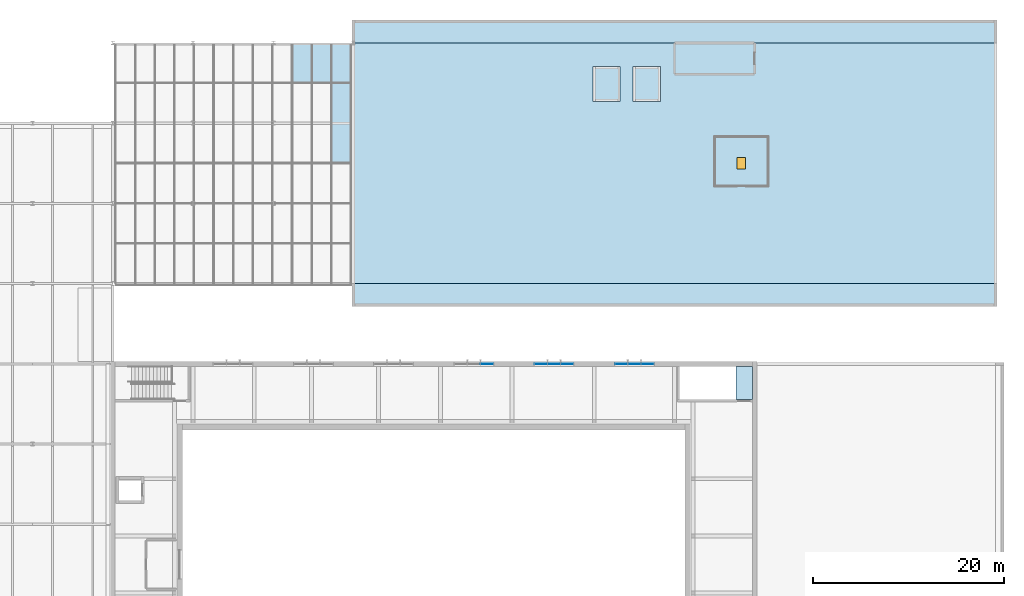
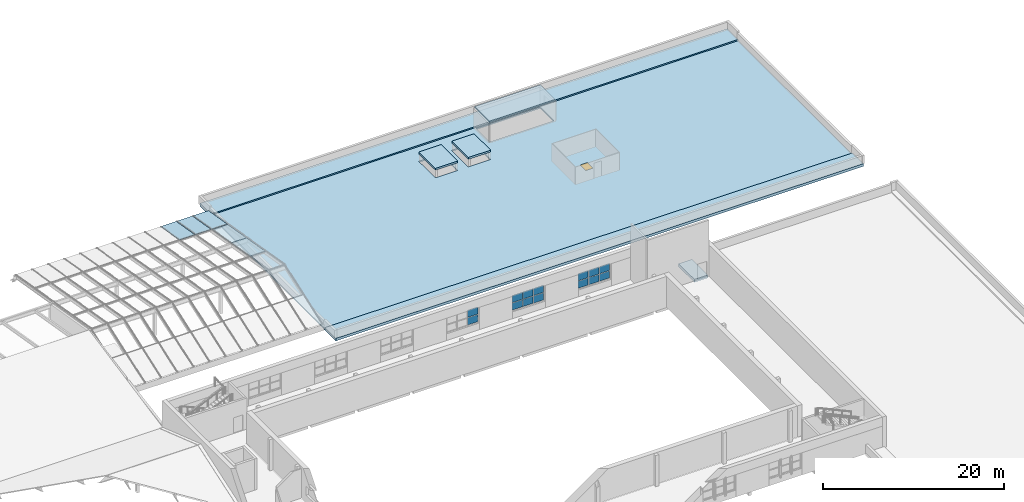
# One storey, part 34 of 60: 19 plates, 7 slabs, 1 window, 1 opening, 4 elements without a shape of their own.
"""IFC4 building model written with IfcOpenShell, lengths in metres."""

import ifcopenshell
import ifcopenshell.guid

model = None  # the IFC model being written
_history = None  # IfcOwnerHistory: only IFC2X3 demands one
_inside = {}  # id of a spatial element -> (the spatial element, [elements in it])
_under = {}  # id of a project, library or spatial element -> (it, [spatial elements below it])
_declared = {}  # id of a project -> (the project, [libraries it declares])
_typed = {}  # id of a type object -> (the type object, [elements of that type])
_made_of = {}  # id of a material, layer set ... -> (it, [elements and type objects made of it])


def new_model(schema):
    """Start an empty IFC model of exactly this schema.

    Asked for "IFC4X3", IfcOpenShell would pick the latest addendum, in which some entities
    have other attributes; the version numbers below select the first issue.
    IFC2X3 requires an IfcOwnerHistory on every rooted entity: one is made here for all.
    """
    global model, _history
    if schema == "IFC4X3":
        model = ifcopenshell.file(schema_version=(4, 3, 0, 0))
    else:
        model = ifcopenshell.file(schema=schema)
    _inside.clear()
    _under.clear()
    _declared.clear()
    _typed.clear()
    _made_of.clear()
    _history = None
    if model.schema == "IFC2X3":
        org = make("IfcOrganization", Name="unknown")
        user = make(
            "IfcPersonAndOrganization",
            ThePerson=make("IfcPerson", FamilyName="unknown"),
            TheOrganization=org,
        )
        app = make(
            "IfcApplication",
            ApplicationDeveloper=org,
            Version="unknown",
            ApplicationFullName="unknown",
            ApplicationIdentifier="unknown",
        )
        _history = make(
            "IfcOwnerHistory",
            OwningUser=user,
            OwningApplication=app,
            ChangeAction="ADDED",
            CreationDate=0,
        )
    return model


def make(cls, **values):
    """One entity of the class cls with the attributes given. An attribute that is None is left unset."""
    return model.create_entity(
        cls, **{name: value for name, value in values.items() if value is not None}
    )


def rooted(cls, **values):
    """An entity with a GlobalId (a new one), such as an element, a storey or a relation."""
    return make(cls, GlobalId=ifcopenshell.guid.new(), OwnerHistory=_history, **values)


def si_unit(unit_type, name, prefix=None):
    """IfcSIUnit, for example si_unit("LENGTHUNIT", "METRE", prefix="MILLI")."""
    return make("IfcSIUnit", UnitType=unit_type, Prefix=prefix, Name=name)


def assignment(units):
    """IfcUnitAssignment: the units of a project."""
    return None if units is None else make("IfcUnitAssignment", Units=units)


def point(xyz):
    """IfcCartesianPoint."""
    return None if xyz is None else make("IfcCartesianPoint", Coordinates=xyz)


def direction(xyz):
    """IfcDirection."""
    return None if xyz is None else make("IfcDirection", DirectionRatios=xyz)


def frame(location, z_axis=None, x_axis=None):
    """IfcAxis2Placement3D, a coordinate frame: its origin and axes. An axis left out is left unset."""
    return make(
        "IfcAxis2Placement3D",
        Location=point(location),
        Axis=direction(z_axis),
        RefDirection=direction(x_axis),
    )


def frame_2d(location, x_axis=None):
    """IfcAxis2Placement2D, a coordinate frame in the plane: its origin and x axis."""
    return make(
        "IfcAxis2Placement2D", Location=point(location), RefDirection=direction(x_axis)
    )


def origin():
    """The frame at (0, 0, 0) with its axes left unset."""
    return frame((0.0, 0.0, 0.0))


def origin_2d():
    """The frame at (0, 0) in the plane with its x axis left unset."""
    return frame_2d((0.0, 0.0))


def place(relative_to, where):
    """IfcLocalPlacement: puts the frame where relative to a parent placement (None: the world)."""
    return make(
        "IfcLocalPlacement", PlacementRelTo=relative_to, RelativePlacement=where
    )


def context(
    kind, dimensions, precision=None, world=None, true_north=None, identifier=None
):
    """IfcGeometricRepresentationContext, for example the 3D "Model" context."""
    return make(
        "IfcGeometricRepresentationContext",
        ContextIdentifier=identifier,
        ContextType=kind,
        CoordinateSpaceDimension=dimensions,
        Precision=precision,
        WorldCoordinateSystem=world,
        TrueNorth=true_north,
    )


def subcontext(parent, identifier, kind, view, scale=None):
    """IfcGeometricRepresentationSubContext, for example "Body" below "Model"."""
    return make(
        "IfcGeometricRepresentationSubContext",
        ContextIdentifier=identifier,
        ContextType=kind,
        ParentContext=parent,
        TargetScale=scale,
        TargetView=view,
    )


def project(units=None, contexts=None):
    """IfcProject with its units and contexts."""
    return rooted(
        "IfcProject",
        Name="project",
        RepresentationContexts=contexts,
        UnitsInContext=assignment(units),
    )


def spatial(cls, under=None, at=None, **own):
    """A site, building, storey or space (cls), placed at a placement, below another one or the project."""
    s = rooted(cls, ObjectPlacement=at, **own)
    if under is not None:
        _under.setdefault(under.id(), (under, []))[1].append(s)
    return s


def polyline(points):
    """IfcPolyline through the points."""
    return make("IfcPolyline", Points=[point(p) for p in points])


def profile(cls, at=None, kind="AREA", **sizes):
    """A parametric profile (cls). Its sizes go by their IFC names, for example OverallWidth=200.0."""
    return make(cls, ProfileType=kind, Position=at, **sizes)


def rectangle(**sizes):
    """IfcRectangleProfileDef."""
    return profile("IfcRectangleProfileDef", **sizes)


def outline(outer, holes=None, kind="AREA"):
    """IfcArbitraryClosedProfileDef: a profile drawn as a closed curve; with holes, ...WithVoids."""
    if holes is None:
        return make("IfcArbitraryClosedProfileDef", ProfileType=kind, OuterCurve=outer)
    return make(
        "IfcArbitraryProfileDefWithVoids",
        ProfileType=kind,
        OuterCurve=outer,
        InnerCurves=holes,
    )


def extrude(swept, where, along, depth):
    """IfcExtrudedAreaSolid: the profile swept, set in the frame where, extruded along a direction by depth."""
    return make(
        "IfcExtrudedAreaSolid",
        SweptArea=swept,
        Position=where,
        ExtrudedDirection=direction(along),
        Depth=depth,
    )


def shape(context_of_items, identifier, shape_type, items):
    """IfcShapeRepresentation: the items that make up one representation, for example the "Body"."""
    return make(
        "IfcShapeRepresentation",
        ContextOfItems=context_of_items,
        RepresentationIdentifier=identifier,
        RepresentationType=shape_type,
        Items=items,
    )


def material(Name=None, Category=None):
    """IfcMaterial."""
    return make("IfcMaterial", Name=Name, Category=Category)


def layer(
    of_material, thickness, ventilated=None, Name=None, Category=None, Priority=None
):
    """IfcMaterialLayer: one layer of a wall or slab, of a material (None: an air gap)."""
    return make(
        "IfcMaterialLayer",
        Material=of_material,
        LayerThickness=thickness,
        IsVentilated=ventilated,
        Name=Name,
        Category=Category,
        Priority=Priority,
    )


def layer_set(layers, Name=None):
    """IfcMaterialLayerSet."""
    return make("IfcMaterialLayerSet", MaterialLayers=layers, LayerSetName=Name)


def made_of(thing, what):
    """Note that an element or type object is made of a material, layer set ...; save() writes the relation."""
    if what is not None:
        _made_of.setdefault(what.id(), (what, []))[1].append(thing)
    return thing


def type_object(cls, material=None, **own):
    """A type object (cls), such as IfcWallType, which elements share."""
    return made_of(rooted(cls, **own), material)


def element(
    cls,
    number,
    at=None,
    inside=None,
    cuts=None,
    type_object=None,
    material=None,
    context=None,
    identifier="Body",
    shape_type=None,
    held_by="IfcProductDefinitionShape",
    body=None,
    shapes=None,
    **own,
):
    """One element of the class cls, such as IfcWall. Its Tag is "e" and its number.

    at: its placement. inside: the storey or other place that contains it. cuts: it is an
    opening in that element (IfcRelVoidsElement). A single representation is given by context,
    identifier, shape_type and body (its items); several are given by shapes. held_by: the class
    of the entity that holds the representations. save() writes the other relations.
    """
    e = rooted(cls, Tag="e%d" % number, ObjectPlacement=at, **own)
    if body is not None:
        shapes = [shape(context, identifier, shape_type, body)]
    if shapes is not None:
        e.Representation = make(held_by, Representations=shapes)
    if inside is not None:
        _inside.setdefault(inside.id(), (inside, []))[1].append(e)
    if cuts is not None:
        rooted(
            "IfcRelVoidsElement", RelatingBuildingElement=cuts, RelatedOpeningElement=e
        )
    if type_object is not None:
        _typed.setdefault(type_object.id(), (type_object, []))[1].append(e)
    return made_of(e, material)


def fill(opening, filler):
    """IfcRelFillsElement: the door or window that sits in an opening."""
    return rooted(
        "IfcRelFillsElement",
        RelatingOpeningElement=opening,
        RelatedBuildingElement=filler,
    )


def aggregate(whole, parts):
    """IfcRelAggregates: a whole, such as a stair, and the parts it consists of."""
    return rooted("IfcRelAggregates", RelatingObject=whole, RelatedObjects=parts)


def save(model, path):
    """Write the relations noted so far, then the file.

    IfcRelAggregates (storeys below a building ...), IfcRelContainedInSpatialStructure (elements
    in a storey), IfcRelDefinesByType, IfcRelAssociatesMaterial and IfcRelDeclares: one each for
    every whole, place, type object, material and project.
    """
    for whole, parts in _under.values():
        aggregate(whole, parts)
    for where, things in _inside.values():
        rooted(
            "IfcRelContainedInSpatialStructure",
            RelatedElements=things,
            RelatingStructure=where,
        )
    for kind, things in _typed.values():
        rooted("IfcRelDefinesByType", RelatedObjects=things, RelatingType=kind)
    for what, things in _made_of.values():
        rooted("IfcRelAssociatesMaterial", RelatedObjects=things, RelatingMaterial=what)
    for by, libraries in _declared.values():
        rooted("IfcRelDeclares", RelatingContext=by, RelatedDefinitions=libraries)
    model.write(path)


model = new_model("IFC4")

# Units and contexts
model_context = context("Model", 3, precision=1e-05, world=origin(), true_north=direction((0.0, 1.0)))
body_context = subcontext(model_context, "Body", "Model", "MODEL_VIEW")
ifc_project = project(units=[si_unit("LENGTHUNIT", "METRE"), si_unit("AREAUNIT", "SQUARE_METRE"), si_unit("VOLUMEUNIT", "CUBIC_METRE"), si_unit("PLANEANGLEUNIT", "RADIAN"), si_unit("MASSUNIT", "GRAM", prefix="KILO")], contexts=[model_context])

# Site, building, storey
site_placement = place(None, origin())
site = spatial("IfcSite", under=ifc_project, at=site_placement, CompositionType="ELEMENT")
building_placement = place(site_placement, origin())
building = spatial("IfcBuilding", under=site, at=building_placement, Name="Ljudholm Concert House", CompositionType="ELEMENT")
storey_placement = place(building_placement, frame((0.0, 0.0, 15.0)))
storey = spatial("IfcBuildingStorey", under=building, at=storey_placement, Name="L03", CompositionType="ELEMENT", Elevation=15.0)

# Slab, opening, window
ifc_material_1 = material(Name="Concrete 5,000 psi", Category="concrete")
ifc_layer_1 = layer(ifc_material_1, 0.179931640625)
ifc_layer_set_1 = layer_set([ifc_layer_1], Name="Concrete 5,000 psi")
slab_type_1 = type_object("IfcSlabType", Name="COMPOSITE ROOF SLAB 180", PredefinedType="ROOF", material=ifc_layer_set_1)
slab_1_placement = place(storey_placement, frame((0.0, 0.0, -0.179931640625)))
slab_1 = element("IfcSlab", 1, at=slab_1_placement, inside=storey, type_object=slab_type_1, Name="Green roof slab", PredefinedType="ROOF", context=body_context, shape_type="SweptSolid", body=[
    extrude(outline(polyline([(54.39990234375, 130.0), (121.60009765625, 130.0), (121.60009765625, 104.800048828125), (54.39990234375, 104.800048828125), (54.39990234375, 130.0)]), holes=[polyline([(79.47509765625, 123.875), (82.324951171875, 123.875), (82.324951171875, 127.52490234375), (79.47509765625, 127.52490234375), (79.47509765625, 123.875)]), polyline([(83.675048828125, 127.52490234375), (83.675048828125, 123.875), (86.52490234375, 123.875), (86.52490234375, 127.52490234375), (83.675048828125, 127.52490234375)]), polyline([(88.125, 129.85009765625), (88.125, 126.85009765625), (96.27490234375, 126.85009765625), (96.27490234375, 129.85009765625), (88.125, 129.85009765625)])]), origin(), (0.0, 0.0, 1.0), 0.179931640625),
])
opening_placement = place(slab_1_placement, frame((95.0, 117.39990234375, 0.0)))
opening = element("IfcOpeningElement", 2, at=opening_placement, cuts=slab_1, Name="Opening X-R02-012", PredefinedType="OPENING", context=body_context, shape_type="SweptSolid", body=[
    extrude(rectangle(XDim=0.89990234375, YDim=1.199951171875, at=origin_2d()), frame((0.0, 0.0, -0.010009765625)), (0.0, 0.0, 1.0), 0.199951171875),
])
ifc_material_2 = material(Name="Aluminium roof hatch, insulated, with fixed ladder", Category="aluminium")
window_type = type_object("IfcWindowType", Name="ROOF ACCESS HATCH 900x1200", PartitioningType="SINGLE_PANEL", PredefinedType="SKYLIGHT", material=ifc_material_2)
window_placement = place(opening_placement, frame((0.0, 0.0, 0.1298828125)))
window = element("IfcWindow", 3, at=window_placement, inside=storey, type_object=window_type, Name="Roof access hatch", OverallHeight=1.199951171875, OverallWidth=0.89990234375, PartitioningType="SINGLE_PANEL", PredefinedType="SKYLIGHT", context=body_context, shape_type="SweptSolid", body=[
    extrude(rectangle(XDim=0.89990234375, YDim=1.199951171875, at=origin_2d()), origin(), (0.0, 0.0, 1.0), 0.050048828125),
])
fill(opening, window)

# Curtain wall, plates
ifc_material_3 = material(Name="Aluminium curtain wall with impact-rated laminated glass", Category="aluminium")
curtain_wall_type_1 = type_object("IfcCurtainWallType", Name="CURTAIN WALL 1400", PredefinedType="NOTDEFINED", material=ifc_material_3)
curtain_wall_1_placement = place(storey_placement, origin())
curtain_wall_1 = element("IfcCurtainWall", 4, at=curtain_wall_1_placement, inside=storey, type_object=curtain_wall_type_1, Name="Promenade curtain wall", PredefinedType="NOTDEFINED")
ifc_material_4 = material(Name="Impact-rated laminated glass", Category="glass")
ifc_layer_2 = layer(ifc_material_4, 0.028076171875)
ifc_layer_set_2 = layer_set([ifc_layer_2], Name="Impact-rated laminated glass")
plate_type_1 = type_object("IfcPlateType", Name="CURTAIN PANEL 28", PredefinedType="CURTAIN_PANEL", material=ifc_layer_set_2)
plate_1_placement = place(storey_placement, frame((68.364990234375, 96.39990234375, 0.9599609375), z_axis=(0.0, 0.0, 1.0), x_axis=(1.0, 0.0, 0.0)))
plate_1 = element("IfcPlate", 5, at=plate_1_placement, type_object=plate_type_1, Name="Curtain wall panel", PredefinedType="CURTAIN_PANEL", context=body_context, shape_type="SweptSolid", body=[
    extrude(rectangle(XDim=1.2900390625, YDim=0.028076171875, at=origin_2d()), origin(), (0.0, 0.0, 1.0), 0.9599609375),
])
plate_2_placement = place(storey_placement, frame((68.364990234375, 96.39990234375, 1.97998046875), z_axis=(0.0, 0.0, 1.0), x_axis=(1.0, 0.0, 0.0)))
plate_2 = element("IfcPlate", 6, at=plate_2_placement, type_object=plate_type_1, Name="Curtain wall panel", PredefinedType="CURTAIN_PANEL", context=body_context, shape_type="SweptSolid", body=[
    extrude(rectangle(XDim=1.2900390625, YDim=0.028076171875, at=origin_2d()), origin(), (0.0, 0.0, 1.0), 0.9599609375),
])
aggregate(curtain_wall_1, [plate_1, plate_2])

curtain_wall_2_placement = place(storey_placement, origin())
curtain_wall_2 = element("IfcCurtainWall", 7, at=curtain_wall_2_placement, inside=storey, type_object=curtain_wall_type_1, Name="Promenade curtain wall", PredefinedType="NOTDEFINED")
plate_3_placement = place(storey_placement, frame((74.034912109375, 96.39990234375, 0.9599609375), z_axis=(0.0, 0.0, 1.0), x_axis=(1.0, 0.0, 0.0)))
plate_3 = element("IfcPlate", 8, at=plate_3_placement, type_object=plate_type_1, Name="Curtain wall panel", PredefinedType="CURTAIN_PANEL", context=body_context, shape_type="SweptSolid", body=[
    extrude(rectangle(XDim=1.2900390625, YDim=0.028076171875, at=origin_2d()), origin(), (0.0, 0.0, 1.0), 0.9599609375),
])
plate_4_placement = place(storey_placement, frame((74.034912109375, 96.39990234375, 1.97998046875), z_axis=(0.0, 0.0, 1.0), x_axis=(1.0, 0.0, 0.0)))
plate_4 = element("IfcPlate", 9, at=plate_4_placement, type_object=plate_type_1, Name="Curtain wall panel", PredefinedType="CURTAIN_PANEL", context=body_context, shape_type="SweptSolid", body=[
    extrude(rectangle(XDim=1.2900390625, YDim=0.028076171875, at=origin_2d()), origin(), (0.0, 0.0, 1.0), 0.9599609375),
])
plate_5_placement = place(storey_placement, frame((75.39990234375, 96.39990234375, 0.9599609375), z_axis=(0.0, 0.0, 1.0), x_axis=(1.0, 0.0, 0.0)))
plate_5 = element("IfcPlate", 10, at=plate_5_placement, type_object=plate_type_1, Name="Curtain wall panel", PredefinedType="CURTAIN_PANEL", context=body_context, shape_type="SweptSolid", body=[
    extrude(rectangle(XDim=1.320068359375, YDim=0.028076171875, at=origin_2d()), origin(), (0.0, 0.0, 1.0), 0.9599609375),
])
plate_6_placement = place(storey_placement, frame((75.39990234375, 96.39990234375, 1.97998046875), z_axis=(0.0, 0.0, 1.0), x_axis=(1.0, 0.0, 0.0)))
plate_6 = element("IfcPlate", 11, at=plate_6_placement, type_object=plate_type_1, Name="Curtain wall panel", PredefinedType="CURTAIN_PANEL", context=body_context, shape_type="SweptSolid", body=[
    extrude(rectangle(XDim=1.320068359375, YDim=0.028076171875, at=origin_2d()), origin(), (0.0, 0.0, 1.0), 0.9599609375),
])
plate_7_placement = place(storey_placement, frame((76.764892578125, 96.39990234375, 0.9599609375), z_axis=(0.0, 0.0, 1.0), x_axis=(1.0, 0.0, 0.0)))
plate_7 = element("IfcPlate", 12, at=plate_7_placement, type_object=plate_type_1, Name="Curtain wall panel", PredefinedType="CURTAIN_PANEL", context=body_context, shape_type="SweptSolid", body=[
    extrude(rectangle(XDim=1.2900390625, YDim=0.028076171875, at=origin_2d()), origin(), (0.0, 0.0, 1.0), 0.9599609375),
])
plate_8_placement = place(storey_placement, frame((76.764892578125, 96.39990234375, 1.97998046875), z_axis=(0.0, 0.0, 1.0), x_axis=(1.0, 0.0, 0.0)))
plate_8 = element("IfcPlate", 13, at=plate_8_placement, type_object=plate_type_1, Name="Curtain wall panel", PredefinedType="CURTAIN_PANEL", context=body_context, shape_type="SweptSolid", body=[
    extrude(rectangle(XDim=1.2900390625, YDim=0.028076171875, at=origin_2d()), origin(), (0.0, 0.0, 1.0), 0.9599609375),
])
aggregate(curtain_wall_2, [plate_3, plate_4, plate_5, plate_6, plate_7, plate_8])

curtain_wall_3_placement = place(storey_placement, origin())
curtain_wall_3 = element("IfcCurtainWall", 14, at=curtain_wall_3_placement, inside=storey, type_object=curtain_wall_type_1, Name="Promenade curtain wall", PredefinedType="NOTDEFINED")
plate_9_placement = place(storey_placement, frame((82.43505859375, 96.39990234375, 0.9599609375), z_axis=(0.0, 0.0, 1.0), x_axis=(1.0, 0.0, 0.0)))
plate_9 = element("IfcPlate", 15, at=plate_9_placement, type_object=plate_type_1, Name="Curtain wall panel", PredefinedType="CURTAIN_PANEL", context=body_context, shape_type="SweptSolid", body=[
    extrude(rectangle(XDim=1.2900390625, YDim=0.028076171875, at=origin_2d()), origin(), (0.0, 0.0, 1.0), 0.9599609375),
])
plate_10_placement = place(storey_placement, frame((82.43505859375, 96.39990234375, 1.97998046875), z_axis=(0.0, 0.0, 1.0), x_axis=(1.0, 0.0, 0.0)))
plate_10 = element("IfcPlate", 16, at=plate_10_placement, type_object=plate_type_1, Name="Curtain wall panel", PredefinedType="CURTAIN_PANEL", context=body_context, shape_type="SweptSolid", body=[
    extrude(rectangle(XDim=1.2900390625, YDim=0.028076171875, at=origin_2d()), origin(), (0.0, 0.0, 1.0), 0.9599609375),
])
plate_11_placement = place(storey_placement, frame((83.800048828125, 96.39990234375, 0.9599609375), z_axis=(0.0, 0.0, 1.0), x_axis=(1.0, 0.0, 0.0)))
plate_11 = element("IfcPlate", 17, at=plate_11_placement, type_object=plate_type_1, Name="Curtain wall panel", PredefinedType="CURTAIN_PANEL", context=body_context, shape_type="SweptSolid", body=[
    extrude(rectangle(XDim=1.320068359375, YDim=0.028076171875, at=origin_2d()), origin(), (0.0, 0.0, 1.0), 0.9599609375),
])
plate_12_placement = place(storey_placement, frame((83.800048828125, 96.39990234375, 1.97998046875), z_axis=(0.0, 0.0, 1.0), x_axis=(1.0, 0.0, 0.0)))
plate_12 = element("IfcPlate", 18, at=plate_12_placement, type_object=plate_type_1, Name="Curtain wall panel", PredefinedType="CURTAIN_PANEL", context=body_context, shape_type="SweptSolid", body=[
    extrude(rectangle(XDim=1.320068359375, YDim=0.028076171875, at=origin_2d()), origin(), (0.0, 0.0, 1.0), 0.9599609375),
])
plate_13_placement = place(storey_placement, frame((85.1650390625, 96.39990234375, 0.9599609375), z_axis=(0.0, 0.0, 1.0), x_axis=(1.0, 0.0, 0.0)))
plate_13 = element("IfcPlate", 19, at=plate_13_placement, type_object=plate_type_1, Name="Curtain wall panel", PredefinedType="CURTAIN_PANEL", context=body_context, shape_type="SweptSolid", body=[
    extrude(rectangle(XDim=1.2900390625, YDim=0.028076171875, at=origin_2d()), origin(), (0.0, 0.0, 1.0), 0.9599609375),
])
plate_14_placement = place(storey_placement, frame((85.1650390625, 96.39990234375, 1.97998046875), z_axis=(0.0, 0.0, 1.0), x_axis=(1.0, 0.0, 0.0)))
plate_14 = element("IfcPlate", 20, at=plate_14_placement, type_object=plate_type_1, Name="Curtain wall panel", PredefinedType="CURTAIN_PANEL", context=body_context, shape_type="SweptSolid", body=[
    extrude(rectangle(XDim=1.2900390625, YDim=0.028076171875, at=origin_2d()), origin(), (0.0, 0.0, 1.0), 0.9599609375),
])
aggregate(curtain_wall_3, [plate_9, plate_10, plate_11, plate_12, plate_13, plate_14])

ifc_material_5 = material(Name="Aluminium roof glazing with impact-rated laminated glass", Category="aluminium")
curtain_wall_type_2 = type_object("IfcCurtainWallType", Name="GLAZED LANTERN ROOF", PredefinedType="NOTDEFINED", material=ifc_material_5)
curtain_wall_4_placement = place(storey_placement, origin())
curtain_wall_4 = element("IfcCurtainWall", 21, at=curtain_wall_4_placement, inside=storey, type_object=curtain_wall_type_2, Name="Glazed lantern roof", PredefinedType="NOTDEFINED")
ifc_material_6 = material(Name="Laminated impact-rated glass", Category="glass")
ifc_layer_3 = layer(ifc_material_6, 0.028076171875)
ifc_layer_set_3 = layer_set([ifc_layer_3], Name="Laminated impact-rated glass")
plate_type_2 = type_object("IfcPlateType", Name="LANTERN GLASS PANEL 28", PredefinedType="CURTAIN_PANEL", material=ifc_layer_set_3)
plate_15_placement = place(storey_placement, frame((52.125732421875, 117.43994140625, 2.876220703125), z_axis=(0.0, 0.168281382128, 0.985739000156), x_axis=(1.0, 0.0, 0.0)))
plate_15 = element("IfcPlate", 22, at=plate_15_placement, type_object=plate_type_2, Name="Lantern glass panel", PredefinedType="CURTAIN_PANEL", context=body_context, shape_type="SweptSolid", body=[
    extrude(outline(polyline([(0.0, 0.0), (1.994384765625, 0.0), (1.994384765625, 4.220342554510072), (0.0, 4.220342554510072), (0.0, 0.0)])), origin(), (0.0, 0.0, -1.0), 0.028076171875),
])
plate_16_placement = place(storey_placement, frame((48.017578125, 125.840087890625, 1.442138671875), z_axis=(0.0, 0.16829097867, 0.985737361825), x_axis=(1.0, 0.0, 0.0)))
plate_16 = element("IfcPlate", 23, at=plate_16_placement, type_object=plate_type_2, Name="Lantern glass panel", PredefinedType="CURTAIN_PANEL", context=body_context, shape_type="SweptSolid", body=[
    extrude(outline(polyline([(0.0, 0.0), (1.994140625, 0.0), (1.994140625, 4.220101895774473), (0.0, 4.220101895774473), (0.0, 0.0)])), origin(), (0.0, 0.0, -1.0), 0.028076171875),
])
plate_17_placement = place(storey_placement, frame((50.07177734375, 125.840087890625, 1.442138671875), z_axis=(0.0, 0.16829097867, 0.985737361825), x_axis=(1.0, 0.0, 0.0)))
plate_17 = element("IfcPlate", 24, at=plate_17_placement, type_object=plate_type_2, Name="Lantern glass panel", PredefinedType="CURTAIN_PANEL", context=body_context, shape_type="SweptSolid", body=[
    extrude(outline(polyline([(0.0, 0.0), (1.994140625, 0.0), (1.994140625, 4.220101895774473), (0.0, 4.220101895774473), (0.0, 0.0)])), origin(), (0.0, 0.0, -1.0), 0.028076171875),
])
plate_18_placement = place(storey_placement, frame((52.125732421875, 121.60009765625, 2.166015625), z_axis=(0.0, 0.16829097867, 0.985737361825), x_axis=(1.0, 0.0, 0.0)))
plate_18 = element("IfcPlate", 25, at=plate_18_placement, type_object=plate_type_2, Name="Lantern glass panel", PredefinedType="CURTAIN_PANEL", context=body_context, shape_type="SweptSolid", body=[
    extrude(outline(polyline([(0.0, 0.0), (1.994384765625, 0.0), (1.994384765625, 4.220101895774473), (0.0, 4.220101895774473), (0.0, 0.0)])), origin(), (0.0, 0.0, -1.0), 0.028076171875),
])
plate_19_placement = place(storey_placement, frame((52.125732421875, 125.840087890625, 1.442138671875), z_axis=(0.0, 0.16829097867, 0.985737361825), x_axis=(1.0, 0.0, 0.0)))
plate_19 = element("IfcPlate", 26, at=plate_19_placement, type_object=plate_type_2, Name="Lantern glass panel", PredefinedType="CURTAIN_PANEL", context=body_context, shape_type="SweptSolid", body=[
    extrude(outline(polyline([(0.0, 0.0), (1.994384765625, 0.0), (1.994384765625, 4.220101895774473), (0.0, 4.220101895774473), (0.0, 0.0)])), origin(), (0.0, 0.0, -1.0), 0.028076171875),
])
aggregate(curtain_wall_4, [plate_15, plate_16, plate_17, plate_18, plate_19])

# Slabs
ifc_material_7 = material(Name="Concrete 5,000 psi", Category="concrete")
ifc_layer_4 = layer(ifc_material_7, 0.35009765625)
ifc_layer_set_4 = layer_set([ifc_layer_4], Name="Concrete 5,000 psi")
slab_type_2 = type_object("IfcSlabType", Name="RC EAVE SLAB 350", PredefinedType="ROOF", material=ifc_layer_set_4)
slab_2_placement = place(storey_placement, frame((0.0, 0.0, -0.179931640625)))
element("IfcSlab", 27, at=slab_2_placement, inside=storey, type_object=slab_type_2, Name="Eave slab", PredefinedType="ROOF", context=body_context, shape_type="SweptSolid", body=[
    extrude(outline(polyline([(54.39990234375, 102.39990234375), (121.60009765625, 102.39990234375), (121.60009765625, 104.800048828125), (54.39990234375, 104.800048828125), (54.39990234375, 102.39990234375)])), origin(), (0.0, 0.0, 1.0), 0.349853515625),
])
slab_3_placement = place(storey_placement, frame((0.0, 0.0, -0.179931640625)))
element("IfcSlab", 28, at=slab_3_placement, inside=storey, type_object=slab_type_2, Name="Eave slab", PredefinedType="ROOF", context=body_context, shape_type="SweptSolid", body=[
    extrude(outline(polyline([(54.39990234375, 130.0), (121.60009765625, 130.0), (121.60009765625, 132.39990234375), (54.39990234375, 132.39990234375), (54.39990234375, 130.0)])), origin(), (0.0, 0.0, 1.0), 0.349853515625),
])
ifc_material_8 = material(Name="Concrete 5,000 psi", Category="concrete")
ifc_layer_5 = layer(ifc_material_8, 0.39990234375)
ifc_layer_set_5 = layer_set([ifc_layer_5], Name="Concrete 5,000 psi")
slab_type_3 = type_object("IfcSlabType", Name="RC FLOOR SLAB 400", PredefinedType="FLOOR", material=ifc_layer_set_5)
slab_4_placement = place(storey_placement, frame((0.0, 0.0, -0.39990234375)))
element("IfcSlab", 29, at=slab_4_placement, inside=storey, type_object=slab_type_3, Name="Stair arrival floor EH4", PredefinedType="FLOOR", context=body_context, shape_type="SweptSolid", body=[
    extrude(outline(polyline([(96.14990234375, 92.64990234375), (96.14990234375, 96.14990234375), (94.449462890625, 96.14990234375), (94.449462890625, 92.64990234375), (96.14990234375, 92.64990234375)])), origin(), (0.0, 0.0, 1.0), 0.39990234375),
])
ifc_material_9 = material(Name="Concrete 5,000 psi", Category="concrete")
ifc_layer_6 = layer(ifc_material_9, 0.199951171875)
ifc_layer_set_6 = layer_set([ifc_layer_6], Name="Concrete 5,000 psi")
slab_type_4 = type_object("IfcSlabType", Name="RC ROOF SLAB 200", PredefinedType="ROOF", material=ifc_layer_set_6)
slab_5_placement = place(storey_placement, frame((0.0, 0.0, 2.699951171875)))
element("IfcSlab", 30, at=slab_5_placement, inside=storey, type_object=slab_type_4, Name="Head-house roof slab", PredefinedType="ROOF", context=body_context, shape_type="SweptSolid", body=[
    extrude(outline(polyline([(88.0, 126.72509765625), (96.39990234375, 126.72509765625), (96.39990234375, 130.0), (88.0, 130.0), (88.0, 126.72509765625)])), origin(), (0.0, 0.0, 1.0), 0.199951171875),
])
ifc_material_10 = material(Name="Concrete 5,000 psi", Category="concrete")
ifc_layer_7 = layer(ifc_material_10, 0.25)
ifc_layer_set_7 = layer_set([ifc_layer_7], Name="Concrete 5,000 psi")
slab_type_5 = type_object("IfcSlabType", Name="RC ROOF SLAB 250", PredefinedType="ROOF", material=ifc_layer_set_7)
slab_6_placement = place(storey_placement, frame((0.0, 0.0, 1.0)))
element("IfcSlab", 31, at=slab_6_placement, inside=storey, type_object=slab_type_5, Name="Lift overrun roof slab", PredefinedType="ROOF", context=body_context, shape_type="SweptSolid", body=[
    extrude(outline(polyline([(79.47509765625, 123.875), (82.324951171875, 123.875), (82.324951171875, 127.52490234375), (79.47509765625, 127.52490234375), (79.47509765625, 123.875)])), origin(), (0.0, 0.0, 1.0), 0.25),
])
slab_7_placement = place(storey_placement, frame((0.0, 0.0, 1.0)))
element("IfcSlab", 32, at=slab_7_placement, inside=storey, type_object=slab_type_5, Name="Lift overrun roof slab", PredefinedType="ROOF", context=body_context, shape_type="SweptSolid", body=[
    extrude(outline(polyline([(83.675048828125, 123.875), (86.52490234375, 123.875), (86.52490234375, 127.52490234375), (83.675048828125, 127.52490234375), (83.675048828125, 123.875)])), origin(), (0.0, 0.0, 1.0), 0.25),
])

save(model, "model.ifc")
